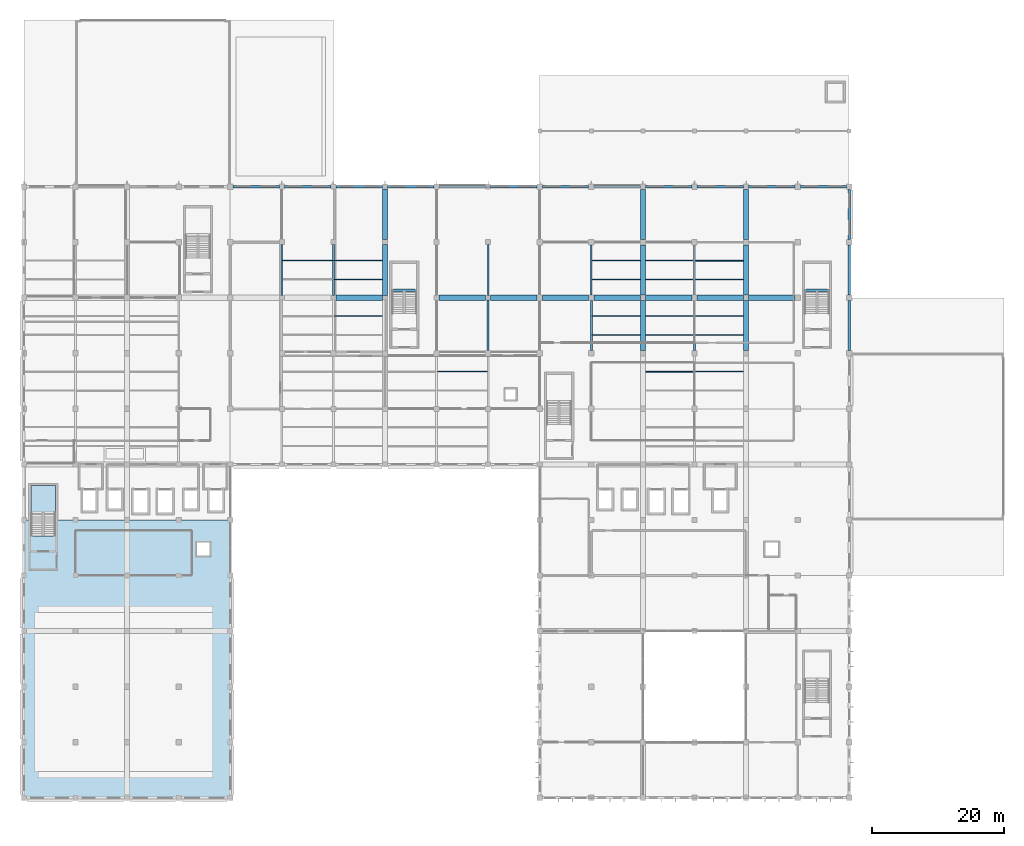
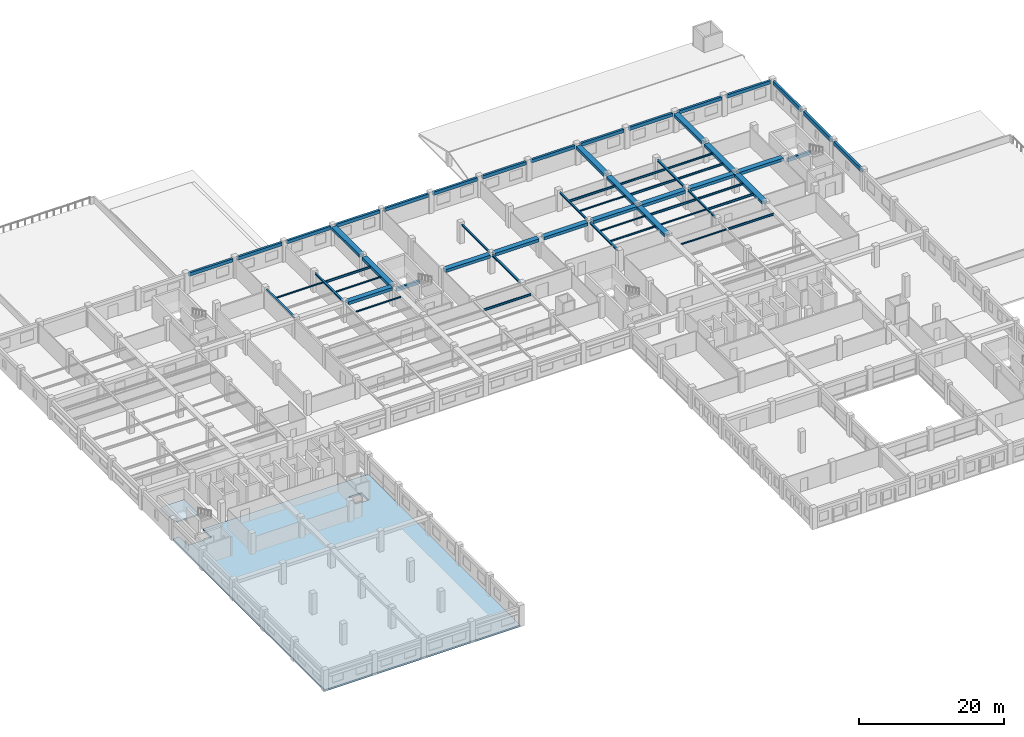
# One storey, part 25 of 50: 60 beams, 2 slabs, 1 element without a shape of its own.
"""IFC4 building model written with IfcOpenShell, lengths in metres."""

from ifc_helpers import new_model, si_unit, direction, frame, origin, origin_2d, place, context, subcontext, project, spatial, polyline, rectangle, i_section, outline, extrude, material, layer, layer_set, material_profile, profile_set, type_object, element, aggregate, save


model = new_model("IFC4")

# Units and contexts
model_context = context("Model", 3, precision=1e-05, world=origin(), true_north=direction((0.0, 1.0)))
body_context = subcontext(model_context, "Body", "Model", "MODEL_VIEW")
ifc_project = project(units=[si_unit("LENGTHUNIT", "METRE"), si_unit("AREAUNIT", "SQUARE_METRE"), si_unit("VOLUMEUNIT", "CUBIC_METRE"), si_unit("PLANEANGLEUNIT", "RADIAN"), si_unit("MASSUNIT", "GRAM", prefix="KILO"), si_unit("THERMODYNAMICTEMPERATUREUNIT", "KELVIN"), si_unit("POWERUNIT", "WATT")], contexts=[model_context])

# Site, building, storey
site_placement = place(None, origin())
site = spatial("IfcSite", under=ifc_project, at=site_placement, CompositionType="ELEMENT")
building_placement = place(site_placement, origin())
building = spatial("IfcBuilding", under=site, at=building_placement, Name="Srebrne Nadtorze General Hospital", CompositionType="ELEMENT")
storey_placement = place(building_placement, frame((0.0, 0.0, 14.39990234375)))
storey = spatial("IfcBuildingStorey", under=building, at=storey_placement, Name="L03", CompositionType="ELEMENT", Elevation=14.39990234375)

# Beams
ifc_material_1 = material(Name="Steel S355J2", Category="steel")
ifc_material_profile_1 = material_profile(ifc_material_1, i_section(OverallWidth=0.159912109375, OverallDepth=0.330078125, WebThickness=0.007568359375, FlangeThickness=0.011474609375, FilletRadius=0.01806640625, at=origin_2d()), Name="IPE-330")
ifc_profile_set_1 = profile_set([ifc_material_profile_1], Name="Steel S355J2")
beam_type_1 = type_object("IfcBeamType", Name="Deck joist IPE 330", PredefinedType="JOIST", material=ifc_profile_set_1)
beam_1_placement = place(storey_placement, frame((117.39501953125, 81.22802734375, 3.10498046875), z_axis=(1.0, 0.0, 0.0), x_axis=(0.0, 1.0, 0.0)))
element("IfcBeam", 1, at=beam_1_placement, inside=storey, type_object=beam_type_1, Name="Interstitial deck joist SJ-L03-0085", PredefinedType="JOIST", context=body_context, shape_type="SweptSolid", body=[
    extrude(i_section(OverallWidth=0.159912109375, OverallDepth=0.330078125, WebThickness=0.007568359375, FlangeThickness=0.011474609375, FilletRadius=0.01806640625, at=origin_2d()), origin(), (0.0, 0.0, 1.0), 7.27001953125),
])
beam_2_placement = place(storey_placement, frame((124.9150390625, 72.827880859375, 3.10498046875), z_axis=(1.0, 0.0, 0.0), x_axis=(0.0, 1.0, 0.0)))
element("IfcBeam", 2, at=beam_2_placement, inside=storey, type_object=beam_type_1, Name="Interstitial deck joist SJ-L03-0091", PredefinedType="JOIST", context=body_context, shape_type="SweptSolid", body=[
    extrude(i_section(OverallWidth=0.159912109375, OverallDepth=0.330078125, WebThickness=0.007568359375, FlangeThickness=0.011474609375, FilletRadius=0.01806640625, at=origin_2d()), origin(), (0.0, 0.0, 1.0), 7.2900390625),
])
beam_3_placement = place(storey_placement, frame((124.93505859375, 78.3720703125, 3.10498046875), z_axis=(1.0, 0.0, 0.0), x_axis=(0.0, 1.0, 0.0)))
element("IfcBeam", 3, at=beam_3_placement, inside=storey, type_object=beam_type_1, Name="Interstitial deck joist SJ-L03-0092", PredefinedType="JOIST", context=body_context, shape_type="SweptSolid", body=[
    extrude(i_section(OverallWidth=0.159912109375, OverallDepth=0.330078125, WebThickness=0.007568359375, FlangeThickness=0.011474609375, FilletRadius=0.01806640625, at=origin_2d()), origin(), (0.0, 0.0, 1.0), 7.27001953125),
])
ifc_material_2 = material(Name="Steel S355J2", Category="steel")
ifc_material_profile_2 = material_profile(ifc_material_2, i_section(OverallWidth=0.169921875, OverallDepth=0.360107421875, WebThickness=0.008056640625, FlangeThickness=0.0126953125, FilletRadius=0.01806640625, at=origin_2d()), Name="IPE-360")
ifc_profile_set_2 = profile_set([ifc_material_profile_2], Name="Steel S355J2")
beam_type_2 = type_object("IfcBeamType", Name="Deck joist IPE 360", PredefinedType="JOIST", material=ifc_profile_set_2)
beam_4_placement = place(storey_placement, frame((70.324951171875, 81.22802734375, 3.090087890625), z_axis=(1.0, 0.0, 0.0), x_axis=(0.0, 1.0, 0.0)))
element("IfcBeam", 4, at=beam_4_placement, inside=storey, type_object=beam_type_2, Name="Interstitial deck joist SJ-L03-0065", PredefinedType="JOIST", context=body_context, shape_type="SweptSolid", body=[
    extrude(i_section(OverallWidth=0.169921875, OverallDepth=0.360107421875, WebThickness=0.008056640625, FlangeThickness=0.0126953125, FilletRadius=0.01806640625, at=origin_2d()), origin(), (0.0, 0.0, 1.0), 7.280029296875),
])
beam_5_placement = place(storey_placement, frame((85.925048828125, 64.427978515625, 3.090087890625), z_axis=(1.0, 0.0, 0.0), x_axis=(0.0, 1.0, 0.0)))
element("IfcBeam", 5, at=beam_5_placement, inside=storey, type_object=beam_type_2, Name="Interstitial deck joist SJ-L03-0073", PredefinedType="JOIST", context=body_context, shape_type="SweptSolid", body=[
    extrude(i_section(OverallWidth=0.169921875, OverallDepth=0.360107421875, WebThickness=0.008056640625, FlangeThickness=0.0126953125, FilletRadius=0.01806640625, at=origin_2d()), origin(), (0.0, 0.0, 1.0), 7.56005859375),
])
beam_6_placement = place(storey_placement, frame((109.324951171875, 81.22802734375, 3.090087890625), z_axis=(1.0, 0.0, 0.0), x_axis=(0.0, 1.0, 0.0)))
element("IfcBeam", 6, at=beam_6_placement, inside=storey, type_object=beam_type_2, Name="Interstitial deck joist SJ-L03-0077", PredefinedType="JOIST", context=body_context, shape_type="SweptSolid", body=[
    extrude(i_section(OverallWidth=0.169921875, OverallDepth=0.360107421875, WebThickness=0.008056640625, FlangeThickness=0.0126953125, FilletRadius=0.01806640625, at=origin_2d()), origin(), (0.0, 0.0, 1.0), 7.280029296875),
])
beam_7_placement = place(storey_placement, frame((117.39501953125, 72.827880859375, 3.090087890625), z_axis=(1.0, 0.0, 0.0), x_axis=(0.0, 1.0, 0.0)))
element("IfcBeam", 7, at=beam_7_placement, inside=storey, type_object=beam_type_2, Name="Interstitial deck joist SJ-L03-0083", PredefinedType="JOIST", context=body_context, shape_type="SweptSolid", body=[
    extrude(i_section(OverallWidth=0.169921875, OverallDepth=0.360107421875, WebThickness=0.008056640625, FlangeThickness=0.0126953125, FilletRadius=0.01806640625, at=origin_2d()), origin(), (0.0, 0.0, 1.0), 7.2900390625),
])
beam_8_placement = place(storey_placement, frame((117.39501953125, 78.3720703125, 3.090087890625), z_axis=(1.0, 0.0, 0.0), x_axis=(0.0, 1.0, 0.0)))
element("IfcBeam", 8, at=beam_8_placement, inside=storey, type_object=beam_type_2, Name="Interstitial deck joist SJ-L03-0084", PredefinedType="JOIST", context=body_context, shape_type="SweptSolid", body=[
    extrude(i_section(OverallWidth=0.169921875, OverallDepth=0.360107421875, WebThickness=0.008056640625, FlangeThickness=0.0126953125, FilletRadius=0.01806640625, at=origin_2d()), origin(), (0.0, 0.0, 1.0), 7.27001953125),
])
beam_9_placement = place(storey_placement, frame((124.925048828125, 64.427978515625, 3.090087890625), z_axis=(1.0, 0.0, 0.0), x_axis=(0.0, 1.0, 0.0)))
element("IfcBeam", 9, at=beam_9_placement, inside=storey, type_object=beam_type_2, Name="Interstitial deck joist SJ-L03-0089", PredefinedType="JOIST", context=body_context, shape_type="SweptSolid", body=[
    extrude(i_section(OverallWidth=0.169921875, OverallDepth=0.360107421875, WebThickness=0.008056640625, FlangeThickness=0.0126953125, FilletRadius=0.01806640625, at=origin_2d()), origin(), (0.0, 0.0, 1.0), 7.280029296875),
])
beam_10_placement = place(storey_placement, frame((124.9150390625, 69.971923828125, 3.090087890625), z_axis=(1.0, 0.0, 0.0), x_axis=(0.0, 1.0, 0.0)))
element("IfcBeam", 10, at=beam_10_placement, inside=storey, type_object=beam_type_2, Name="Interstitial deck joist SJ-L03-0090", PredefinedType="JOIST", context=body_context, shape_type="SweptSolid", body=[
    extrude(i_section(OverallWidth=0.169921875, OverallDepth=0.360107421875, WebThickness=0.008056640625, FlangeThickness=0.0126953125, FilletRadius=0.01806640625, at=origin_2d()), origin(), (0.0, 0.0, 1.0), 7.2900390625),
])
ifc_material_3 = material(Name="Concrete C35/45", Category="concrete")
ifc_material_profile_3 = material_profile(ifc_material_3, rectangle(XDim=0.35009765625, YDim=0.64990234375, at=origin_2d()), Name="RC-BM-350x650")
ifc_profile_set_3 = profile_set([ifc_material_profile_3], Name="Concrete C35/45")
beam_type_3 = type_object("IfcBeamType", Name="Edge beam RC 350x650", PredefinedType="BEAM", material=ifc_profile_set_3)
beam_11_placement = place(storey_placement, frame((148.199951171875, 67.60009765625, 2.945068359375), z_axis=(0.0, 1.0, 0.0), x_axis=(-1.0, 0.0, 0.0)))
element("IfcBeam", 11, at=beam_11_placement, inside=storey, type_object=beam_type_3, Name="Beam BM-L03-Y-0856", PredefinedType="BEAM", context=body_context, shape_type="SweptSolid", body=[
    extrude(rectangle(XDim=0.35009765625, YDim=0.64990234375, at=origin_2d()), origin(), (0.0, 0.0, 1.0), 7.599853515625),
])
for number, where, z_axis, x_axis, name in (
    (12, (148.199951171875, 76.0, 2.945068359375), (0.0, 1.0, 0.0), (-1.0, 0.0, 0.0), "Beam BM-L03-Y-0857"),
    (13, (148.199951171875, 84.39990234375, 2.945068359375), (0.0, 1.0, 0.0), (-1.0, 0.0, 0.0), "Beam BM-L03-Y-0858"),
):
    element("IfcBeam", number, at=place(storey_placement, frame(where, z_axis=z_axis, x_axis=x_axis)), inside=storey, type_object=beam_type_3, Name=name, PredefinedType="BEAM", context=body_context, shape_type="SweptSolid", body=[
        extrude(rectangle(XDim=0.35009765625, YDim=0.64990234375, at=origin_2d()), origin(), (0.0, 0.0, 1.0), 7.60009765625),
    ])
ifc_material_4 = material(Name="Steel S355J2", Category="steel")
ifc_material_profile_4 = material_profile(ifc_material_4, i_section(OverallWidth=0.239990234375, OverallDepth=0.22998046875, WebThickness=0.007568359375, FlangeThickness=0.011962890625, FilletRadius=0.02099609375, at=origin_2d()), Name="HEA-240")
ifc_profile_set_4 = profile_set([ifc_material_profile_4], Name="Steel S355J2")
beam_type_4 = type_object("IfcBeamType", Name="Primary beam HEA 240", PredefinedType="BEAM", material=ifc_profile_set_4)
beam_12_placement = place(storey_placement, frame((124.800048828125, 67.60009765625, 3.155029296875), z_axis=(0.0, 1.0, 0.0), x_axis=(-1.0, 0.0, 0.0)))
element("IfcBeam", 14, at=beam_12_placement, inside=storey, type_object=beam_type_4, Name="Interstitial steel beam SB-L03-0026", PredefinedType="BEAM", context=body_context, shape_type="SweptSolid", body=[
    extrude(i_section(OverallWidth=0.239990234375, OverallDepth=0.22998046875, WebThickness=0.007568359375, FlangeThickness=0.011962890625, FilletRadius=0.02099609375, at=origin_2d()), origin(), (0.0, 0.0, 1.0), 7.599853515625),
])
ifc_material_5 = material(Name="Steel S355J2", Category="steel")
ifc_material_profile_5 = material_profile(ifc_material_5, i_section(OverallWidth=0.260009765625, OverallDepth=0.25, WebThickness=0.007568359375, FlangeThickness=0.012451171875, FilletRadius=0.02392578125, at=origin_2d()), Name="HEA-260")
ifc_profile_set_5 = profile_set([ifc_material_profile_5], Name="Steel S355J2")
beam_type_5 = type_object("IfcBeamType", Name="Primary beam HEA 260", PredefinedType="BEAM", material=ifc_profile_set_5)
beam_13_placement = place(storey_placement, frame((70.199951171875, 75.97509765625, 3.14501953125), z_axis=(0.0, 1.0, 0.0), x_axis=(-1.0, 0.0, 0.0)))
element("IfcBeam", 15, at=beam_13_placement, inside=storey, type_object=beam_type_5, Name="Interstitial steel beam SB-L03-0015", PredefinedType="BEAM", context=body_context, shape_type="SweptSolid", body=[
    extrude(i_section(OverallWidth=0.260009765625, OverallDepth=0.25, WebThickness=0.007568359375, FlangeThickness=0.012451171875, FilletRadius=0.02392578125, at=origin_2d()), origin(), (0.0, 0.0, 1.0), 7.64990234375),
])
beam_14_placement = place(storey_placement, frame((109.199951171875, 76.0, 3.14501953125), z_axis=(0.0, 1.0, 0.0), x_axis=(-1.0, 0.0, 0.0)))
element("IfcBeam", 16, at=beam_14_placement, inside=storey, type_object=beam_type_5, Name="Interstitial steel beam SB-L03-0023", PredefinedType="BEAM", context=body_context, shape_type="SweptSolid", body=[
    extrude(i_section(OverallWidth=0.260009765625, OverallDepth=0.25, WebThickness=0.007568359375, FlangeThickness=0.012451171875, FilletRadius=0.02392578125, at=origin_2d()), origin(), (0.0, 0.0, 1.0), 7.60009765625),
])
ifc_material_6 = material(Name="Steel S355J2", Category="steel")
ifc_material_profile_6 = material_profile(ifc_material_6, i_section(OverallWidth=0.280029296875, OverallDepth=0.27001953125, WebThickness=0.008056640625, FlangeThickness=0.012939453125, FilletRadius=0.02392578125, at=origin_2d()), Name="HEA-280")
ifc_profile_set_6 = profile_set([ifc_material_profile_6], Name="Steel S355J2")
beam_type_6 = type_object("IfcBeamType", Name="Primary beam HEA 280", PredefinedType="BEAM", material=ifc_profile_set_6)
beam_15_placement = place(storey_placement, frame((62.39990234375, 75.97509765625, 3.135009765625), z_axis=(0.0, 1.0, 0.0), x_axis=(-1.0, 0.0, 0.0)))
element("IfcBeam", 17, at=beam_15_placement, inside=storey, type_object=beam_type_6, Name="Interstitial steel beam SB-L03-0011", PredefinedType="BEAM", context=body_context, shape_type="SweptSolid", body=[
    extrude(i_section(OverallWidth=0.280029296875, OverallDepth=0.27001953125, WebThickness=0.008056640625, FlangeThickness=0.012939453125, FilletRadius=0.02392578125, at=origin_2d()), origin(), (0.0, 0.0, 1.0), 7.64990234375),
])
beam_16_placement = place(storey_placement, frame((109.199951171875, 67.60009765625, 3.135009765625), z_axis=(0.0, 1.0, 0.0), x_axis=(-1.0, 0.0, 0.0)))
element("IfcBeam", 18, at=beam_16_placement, inside=storey, type_object=beam_type_6, Name="Interstitial steel beam SB-L03-0022", PredefinedType="BEAM", context=body_context, shape_type="SweptSolid", body=[
    extrude(i_section(OverallWidth=0.280029296875, OverallDepth=0.27001953125, WebThickness=0.008056640625, FlangeThickness=0.012939453125, FilletRadius=0.02392578125, at=origin_2d()), origin(), (0.0, 0.0, 1.0), 7.599853515625),
])
ifc_material_7 = material(Name="Steel S355J2", Category="steel")
ifc_material_profile_7 = material_profile(ifc_material_7, i_section(OverallWidth=0.239990234375, OverallDepth=0.239990234375, WebThickness=0.010009765625, FlangeThickness=0.01708984375, FilletRadius=0.02099609375, at=origin_2d()), Name="HEB-240")
ifc_profile_set_7 = profile_set([ifc_material_profile_7], Name="Steel S355J2")
beam_type_7 = type_object("IfcBeamType", Name="Primary beam HEB 240", PredefinedType="BEAM", material=ifc_profile_set_7)
beam_17_placement = place(storey_placement, frame((93.60009765625, 75.97509765625, 3.150146484375), z_axis=(0.0, 1.0, 0.0), x_axis=(-1.0, 0.0, 0.0)))
element("IfcBeam", 19, at=beam_17_placement, inside=storey, type_object=beam_type_7, Name="Interstitial steel beam SB-L03-0021", PredefinedType="BEAM", context=body_context, shape_type="SweptSolid", body=[
    extrude(i_section(OverallWidth=0.239990234375, OverallDepth=0.239990234375, WebThickness=0.010009765625, FlangeThickness=0.01708984375, FilletRadius=0.02099609375, at=origin_2d()), origin(), (0.0, 0.0, 1.0), 7.64990234375),
])
ifc_material_8 = material(Name="Steel S355J2", Category="steel")
ifc_material_profile_8 = material_profile(ifc_material_8, i_section(OverallWidth=0.280029296875, OverallDepth=0.280029296875, WebThickness=0.010498046875, FlangeThickness=0.01806640625, FilletRadius=0.02392578125, at=origin_2d()), Name="HEB-280")
ifc_profile_set_8 = profile_set([ifc_material_profile_8], Name="Steel S355J2")
beam_type_8 = type_object("IfcBeamType", Name="Primary beam HEB 280", PredefinedType="BEAM", material=ifc_profile_set_8)
beam_18_placement = place(storey_placement, frame((93.60009765625, 67.574951171875, 3.130126953125), z_axis=(0.0, 1.0, 0.0), x_axis=(-1.0, 0.0, 0.0)))
element("IfcBeam", 20, at=beam_18_placement, inside=storey, type_object=beam_type_8, Name="Interstitial steel beam SB-L03-0020", PredefinedType="BEAM", context=body_context, shape_type="SweptSolid", body=[
    extrude(i_section(OverallWidth=0.280029296875, OverallDepth=0.280029296875, WebThickness=0.010498046875, FlangeThickness=0.01806640625, FilletRadius=0.02392578125, at=origin_2d()), origin(), (0.0, 0.0, 1.0), 7.650146484375),
])
beam_19_placement = place(storey_placement, frame((124.800048828125, 76.0, 3.130126953125), z_axis=(0.0, 1.0, 0.0), x_axis=(-1.0, 0.0, 0.0)))
element("IfcBeam", 21, at=beam_19_placement, inside=storey, type_object=beam_type_8, Name="Interstitial steel beam SB-L03-0027", PredefinedType="BEAM", context=body_context, shape_type="SweptSolid", body=[
    extrude(i_section(OverallWidth=0.280029296875, OverallDepth=0.280029296875, WebThickness=0.010498046875, FlangeThickness=0.01806640625, FilletRadius=0.02392578125, at=origin_2d()), origin(), (0.0, 0.0, 1.0), 7.60009765625),
])
ifc_material_9 = material(Name="Concrete C40/50", Category="concrete")
ifc_material_profile_9 = material_profile(ifc_material_9, rectangle(XDim=0.800048828125, YDim=0.5, at=origin_2d()), Name="RC-BM-800x500")
ifc_profile_set_9 = profile_set([ifc_material_profile_9], Name="Concrete C40/50")
beam_type_9 = type_object("IfcBeamType", Name="Primary beam RC 800x500", PredefinedType="BEAM", material=ifc_profile_set_9)
for number, where, z_axis, x_axis, name in (
    (22, (70.574951171875, 75.60009765625, 3.02001953125), (1.0, 0.0, 0.0), (0.0, 1.0, 0.0), "Beam BM-L03-X-0763"),
    (23, (86.175048828125, 75.60009765625, 3.02001953125), (1.0, 0.0, 0.0), (0.0, 1.0, 0.0), "Beam BM-L03-X-0764"),
):
    element("IfcBeam", number, at=place(storey_placement, frame(where, z_axis=z_axis, x_axis=x_axis)), inside=storey, type_object=beam_type_9, Name=name, PredefinedType="BEAM", context=body_context, shape_type="SweptSolid", body=[
        extrude(rectangle(XDim=0.800048828125, YDim=0.5, at=origin_2d()), origin(), (0.0, 0.0, 1.0), 7.050048828125),
    ])
beam_20_placement = place(storey_placement, frame((93.97509765625, 75.60009765625, 3.02001953125), z_axis=(1.0, 0.0, 0.0), x_axis=(0.0, 1.0, 0.0)))
element("IfcBeam", 24, at=beam_20_placement, inside=storey, type_object=beam_type_9, Name="Beam BM-L03-X-0765", PredefinedType="BEAM", context=body_context, shape_type="SweptSolid", body=[
    extrude(rectangle(XDim=0.800048828125, YDim=0.5, at=origin_2d()), origin(), (0.0, 0.0, 1.0), 7.02490234375),
])
for number, where, z_axis, x_axis, name in (
    (25, (101.800048828125, 75.60009765625, 3.02001953125), (1.0, 0.0, 0.0), (0.0, 1.0, 0.0), "Beam BM-L03-X-0766"),
    (26, (109.60009765625, 75.60009765625, 3.02001953125), (1.0, 0.0, 0.0), (0.0, 1.0, 0.0), "Beam BM-L03-X-0767"),
    (27, (117.39990234375, 75.60009765625, 3.02001953125), (1.0, 0.0, 0.0), (0.0, 1.0, 0.0), "Beam BM-L03-X-0768"),
    (28, (125.199951171875, 75.60009765625, 3.02001953125), (1.0, 0.0, 0.0), (0.0, 1.0, 0.0), "Beam BM-L03-X-0769"),
    (29, (133.0, 75.60009765625, 3.02001953125), (1.0, 0.0, 0.0), (0.0, 1.0, 0.0), "Beam BM-L03-X-0770"),
):
    element("IfcBeam", number, at=place(storey_placement, frame(where, z_axis=z_axis, x_axis=x_axis)), inside=storey, type_object=beam_type_9, Name=name, PredefinedType="BEAM", context=body_context, shape_type="SweptSolid", body=[
        extrude(rectangle(XDim=0.800048828125, YDim=0.5, at=origin_2d()), origin(), (0.0, 0.0, 1.0), 7.0),
    ])
for number, where, z_axis, x_axis, name in (
    (30, (78.0, 75.97509765625, 3.02001953125), (0.0, 1.0, 0.0), (-1.0, 0.0, 0.0), "Beam BM-L03-Y-0818"),
    (31, (78.0, 84.375, 3.02001953125), (0.0, 1.0, 0.0), (-1.0, 0.0, 0.0), "Beam BM-L03-Y-0819"),
):
    element("IfcBeam", number, at=place(storey_placement, frame(where, z_axis=z_axis, x_axis=x_axis)), inside=storey, type_object=beam_type_9, Name=name, PredefinedType="BEAM", context=body_context, shape_type="SweptSolid", body=[
        extrude(rectangle(XDim=0.800048828125, YDim=0.5, at=origin_2d()), origin(), (0.0, 0.0, 1.0), 7.64990234375),
    ])
beam_21_placement = place(storey_placement, frame((117.0, 67.60009765625, 3.02001953125), z_axis=(0.0, 1.0, 0.0), x_axis=(-1.0, 0.0, 0.0)))
element("IfcBeam", 32, at=beam_21_placement, inside=storey, type_object=beam_type_9, Name="Beam BM-L03-Y-0834", PredefinedType="BEAM", context=body_context, shape_type="SweptSolid", body=[
    extrude(rectangle(XDim=0.800048828125, YDim=0.5, at=origin_2d()), origin(), (0.0, 0.0, 1.0), 7.599853515625),
])
for number, where, z_axis, x_axis, name in (
    (33, (117.0, 76.0, 3.02001953125), (0.0, 1.0, 0.0), (-1.0, 0.0, 0.0), "Beam BM-L03-Y-0835"),
    (34, (117.0, 84.39990234375, 3.02001953125), (0.0, 1.0, 0.0), (-1.0, 0.0, 0.0), "Beam BM-L03-Y-0836"),
):
    element("IfcBeam", number, at=place(storey_placement, frame(where, z_axis=z_axis, x_axis=x_axis)), inside=storey, type_object=beam_type_9, Name=name, PredefinedType="BEAM", context=body_context, shape_type="SweptSolid", body=[
        extrude(rectangle(XDim=0.800048828125, YDim=0.5, at=origin_2d()), origin(), (0.0, 0.0, 1.0), 7.60009765625),
    ])
beam_22_placement = place(storey_placement, frame((132.60009765625, 67.60009765625, 3.02001953125), z_axis=(0.0, 1.0, 0.0), x_axis=(-1.0, 0.0, 0.0)))
element("IfcBeam", 35, at=beam_22_placement, inside=storey, type_object=beam_type_9, Name="Beam BM-L03-Y-0845", PredefinedType="BEAM", context=body_context, shape_type="SweptSolid", body=[
    extrude(rectangle(XDim=0.800048828125, YDim=0.5, at=origin_2d()), origin(), (0.0, 0.0, 1.0), 7.599853515625),
])
for number, where, z_axis, x_axis, name in (
    (36, (132.60009765625, 76.0, 3.02001953125), (0.0, 1.0, 0.0), (-1.0, 0.0, 0.0), "Beam BM-L03-Y-0846"),
    (37, (132.60009765625, 84.39990234375, 3.02001953125), (0.0, 1.0, 0.0), (-1.0, 0.0, 0.0), "Beam BM-L03-Y-0847"),
):
    element("IfcBeam", number, at=place(storey_placement, frame(where, z_axis=z_axis, x_axis=x_axis)), inside=storey, type_object=beam_type_9, Name=name, PredefinedType="BEAM", context=body_context, shape_type="SweptSolid", body=[
        extrude(rectangle(XDim=0.800048828125, YDim=0.5, at=origin_2d()), origin(), (0.0, 0.0, 1.0), 7.60009765625),
    ])
ifc_material_10 = material(Name="Steel S355J2", Category="steel")
ifc_material_profile_10 = material_profile(ifc_material_10, i_section(OverallWidth=0.1201171875, OverallDepth=0.239990234375, WebThickness=0.006103515625, FlangeThickness=0.009765625, FilletRadius=0.014892578125, at=origin_2d()), Name="IPE-240")
ifc_profile_set_10 = profile_set([ifc_material_profile_10], Name="Steel S355J2")
beam_type_10 = type_object("IfcBeamType", Name="Secondary joist IPE 240", PredefinedType="JOIST", material=ifc_profile_set_10)
beam_23_placement = place(storey_placement, frame((62.534912109375, 81.22802734375, 3.150146484375), z_axis=(1.0, 0.0, 0.0), x_axis=(0.0, 1.0, 0.0)))
element("IfcBeam", 38, at=beam_23_placement, inside=storey, type_object=beam_type_10, Name="Interstitial deck joist SJ-L03-0057", PredefinedType="JOIST", context=body_context, shape_type="SweptSolid", body=[
    extrude(i_section(OverallWidth=0.1201171875, OverallDepth=0.239990234375, WebThickness=0.006103515625, FlangeThickness=0.009765625, FilletRadius=0.014892578125, at=origin_2d()), origin(), (0.0, 0.0, 1.0), 7.5400390625),
])
beam_24_placement = place(storey_placement, frame((70.3349609375, 72.827880859375, 3.150146484375), z_axis=(1.0, 0.0, 0.0), x_axis=(0.0, 1.0, 0.0)))
element("IfcBeam", 39, at=beam_24_placement, inside=storey, type_object=beam_type_10, Name="Interstitial deck joist SJ-L03-0063", PredefinedType="JOIST", context=body_context, shape_type="SweptSolid", body=[
    extrude(i_section(OverallWidth=0.1201171875, OverallDepth=0.239990234375, WebThickness=0.006103515625, FlangeThickness=0.009765625, FilletRadius=0.014892578125, at=origin_2d()), origin(), (0.0, 0.0, 1.0), 7.27001953125),
])
beam_25_placement = place(storey_placement, frame((70.324951171875, 78.3720703125, 3.150146484375), z_axis=(1.0, 0.0, 0.0), x_axis=(0.0, 1.0, 0.0)))
element("IfcBeam", 40, at=beam_25_placement, inside=storey, type_object=beam_type_10, Name="Interstitial deck joist SJ-L03-0064", PredefinedType="JOIST", context=body_context, shape_type="SweptSolid", body=[
    extrude(i_section(OverallWidth=0.1201171875, OverallDepth=0.239990234375, WebThickness=0.006103515625, FlangeThickness=0.009765625, FilletRadius=0.014892578125, at=origin_2d()), origin(), (0.0, 0.0, 1.0), 7.280029296875),
])
beam_26_placement = place(storey_placement, frame((109.3349609375, 72.827880859375, 3.150146484375), z_axis=(1.0, 0.0, 0.0), x_axis=(0.0, 1.0, 0.0)))
element("IfcBeam", 41, at=beam_26_placement, inside=storey, type_object=beam_type_10, Name="Interstitial deck joist SJ-L03-0075", PredefinedType="JOIST", context=body_context, shape_type="SweptSolid", body=[
    extrude(i_section(OverallWidth=0.1201171875, OverallDepth=0.239990234375, WebThickness=0.006103515625, FlangeThickness=0.009765625, FilletRadius=0.014892578125, at=origin_2d()), origin(), (0.0, 0.0, 1.0), 7.27001953125),
])
for number, where, z_axis, x_axis, name in (
    (42, (109.324951171875, 78.3720703125, 3.150146484375), (1.0, 0.0, 0.0), (0.0, 1.0, 0.0), "Interstitial deck joist SJ-L03-0076"),
    (43, (117.39501953125, 64.427978515625, 3.150146484375), (1.0, 0.0, 0.0), (0.0, 1.0, 0.0), "Interstitial deck joist SJ-L03-0081"),
):
    element("IfcBeam", number, at=place(storey_placement, frame(where, z_axis=z_axis, x_axis=x_axis)), inside=storey, type_object=beam_type_10, Name=name, PredefinedType="JOIST", context=body_context, shape_type="SweptSolid", body=[
        extrude(i_section(OverallWidth=0.1201171875, OverallDepth=0.239990234375, WebThickness=0.006103515625, FlangeThickness=0.009765625, FilletRadius=0.014892578125, at=origin_2d()), origin(), (0.0, 0.0, 1.0), 7.280029296875),
    ])
beam_27_placement = place(storey_placement, frame((117.39501953125, 69.971923828125, 3.150146484375), z_axis=(1.0, 0.0, 0.0), x_axis=(0.0, 1.0, 0.0)))
element("IfcBeam", 44, at=beam_27_placement, inside=storey, type_object=beam_type_10, Name="Interstitial deck joist SJ-L03-0082", PredefinedType="JOIST", context=body_context, shape_type="SweptSolid", body=[
    extrude(i_section(OverallWidth=0.1201171875, OverallDepth=0.239990234375, WebThickness=0.006103515625, FlangeThickness=0.009765625, FilletRadius=0.014892578125, at=origin_2d()), origin(), (0.0, 0.0, 1.0), 7.2900390625),
])
ifc_material_11 = material(Name="Steel S355J2", Category="steel")
ifc_material_profile_11 = material_profile(ifc_material_11, i_section(OverallWidth=0.135009765625, OverallDepth=0.27001953125, WebThickness=0.006591796875, FlangeThickness=0.01025390625, FilletRadius=0.014892578125, at=origin_2d()), Name="IPE-270")
ifc_profile_set_11 = profile_set([ifc_material_profile_11], Name="Steel S355J2")
beam_type_11 = type_object("IfcBeamType", Name="Secondary joist IPE 270", PredefinedType="JOIST", material=ifc_profile_set_11)
beam_28_placement = place(storey_placement, frame((109.3349609375, 69.971923828125, 3.135009765625), z_axis=(1.0, 0.0, 0.0), x_axis=(0.0, 1.0, 0.0)))
element("IfcBeam", 45, at=beam_28_placement, inside=storey, type_object=beam_type_11, Name="Interstitial deck joist SJ-L03-0074", PredefinedType="JOIST", context=body_context, shape_type="SweptSolid", body=[
    extrude(i_section(OverallWidth=0.135009765625, OverallDepth=0.27001953125, WebThickness=0.006591796875, FlangeThickness=0.01025390625, FilletRadius=0.014892578125, at=origin_2d()), origin(), (0.0, 0.0, 1.0), 7.27001953125),
])
ifc_material_12 = material(Name="Steel S355J2", Category="steel")
ifc_material_profile_12 = material_profile(ifc_material_12, i_section(OverallWidth=0.14990234375, OverallDepth=0.300048828125, WebThickness=0.007080078125, FlangeThickness=0.0107421875, FilletRadius=0.014892578125, at=origin_2d()), Name="IPE-300")
ifc_profile_set_12 = profile_set([ifc_material_profile_12], Name="Steel S355J2")
beam_type_12 = type_object("IfcBeamType", Name="Secondary joist IPE 300", PredefinedType="JOIST", material=ifc_profile_set_12)
beam_29_placement = place(storey_placement, frame((124.93505859375, 81.22802734375, 3.1201171875), z_axis=(1.0, 0.0, 0.0), x_axis=(0.0, 1.0, 0.0)))
element("IfcBeam", 46, at=beam_29_placement, inside=storey, type_object=beam_type_12, Name="Interstitial deck joist SJ-L03-0093", PredefinedType="JOIST", context=body_context, shape_type="SweptSolid", body=[
    extrude(i_section(OverallWidth=0.14990234375, OverallDepth=0.300048828125, WebThickness=0.007080078125, FlangeThickness=0.0107421875, FilletRadius=0.014892578125, at=origin_2d()), origin(), (0.0, 0.0, 1.0), 7.27001953125),
])
ifc_material_13 = material(Name="Concrete C35/45", Category="concrete")
ifc_material_profile_13 = material_profile(ifc_material_13, rectangle(XDim=0.35009765625, YDim=0.550048828125, at=origin_2d()), Name="RC-BM-350x550")
ifc_profile_set_13 = profile_set([ifc_material_profile_13], Name="Concrete C35/45")
beam_type_13 = type_object("IfcBeamType", Name="Spandrel lintel beam RC 350x550", PredefinedType="LINTEL", material=ifc_profile_set_13)
beam_30_placement = place(storey_placement, frame((55.0, 92.39990234375, 2.9951171875), z_axis=(1.0, 0.0, 0.0), x_axis=(0.0, 1.0, 0.0)))
element("IfcBeam", 47, at=beam_30_placement, inside=storey, type_object=beam_type_13, Name="Beam BM-L03-X-0775", PredefinedType="LINTEL", context=body_context, shape_type="SweptSolid", body=[
    extrude(rectangle(XDim=0.35009765625, YDim=0.550048828125, at=origin_2d()), origin(), (0.0, 0.0, 1.0), 7.02490234375),
])
for number, where, z_axis, x_axis, name in (
    (48, (62.77490234375, 92.39990234375, 2.9951171875), (1.0, 0.0, 0.0), (0.0, 1.0, 0.0), "Beam BM-L03-X-0776"),
    (49, (70.574951171875, 92.39990234375, 2.9951171875), (1.0, 0.0, 0.0), (0.0, 1.0, 0.0), "Beam BM-L03-X-0777"),
    (50, (78.375, 92.39990234375, 2.9951171875), (1.0, 0.0, 0.0), (0.0, 1.0, 0.0), "Beam BM-L03-X-0778"),
    (51, (86.175048828125, 92.39990234375, 2.9951171875), (1.0, 0.0, 0.0), (0.0, 1.0, 0.0), "Beam BM-L03-X-0779"),
):
    element("IfcBeam", number, at=place(storey_placement, frame(where, z_axis=z_axis, x_axis=x_axis)), inside=storey, type_object=beam_type_13, Name=name, PredefinedType="LINTEL", context=body_context, shape_type="SweptSolid", body=[
        extrude(rectangle(XDim=0.35009765625, YDim=0.550048828125, at=origin_2d()), origin(), (0.0, 0.0, 1.0), 7.050048828125),
    ])
beam_31_placement = place(storey_placement, frame((93.97509765625, 92.39990234375, 2.9951171875), z_axis=(1.0, 0.0, 0.0), x_axis=(0.0, 1.0, 0.0)))
element("IfcBeam", 52, at=beam_31_placement, inside=storey, type_object=beam_type_13, Name="Beam BM-L03-X-0780", PredefinedType="LINTEL", context=body_context, shape_type="SweptSolid", body=[
    extrude(rectangle(XDim=0.35009765625, YDim=0.550048828125, at=origin_2d()), origin(), (0.0, 0.0, 1.0), 7.02490234375),
])
for number, where, z_axis, x_axis, name in (
    (53, (101.800048828125, 92.39990234375, 2.9951171875), (1.0, 0.0, 0.0), (0.0, 1.0, 0.0), "Beam BM-L03-X-0781"),
    (54, (109.60009765625, 92.39990234375, 2.9951171875), (1.0, 0.0, 0.0), (0.0, 1.0, 0.0), "Beam BM-L03-X-0782"),
    (55, (117.39990234375, 92.39990234375, 2.9951171875), (1.0, 0.0, 0.0), (0.0, 1.0, 0.0), "Beam BM-L03-X-0783"),
    (56, (125.199951171875, 92.39990234375, 2.9951171875), (1.0, 0.0, 0.0), (0.0, 1.0, 0.0), "Beam BM-L03-X-0784"),
    (57, (133.0, 92.39990234375, 2.9951171875), (1.0, 0.0, 0.0), (0.0, 1.0, 0.0), "Beam BM-L03-X-0785"),
    (58, (140.800048828125, 92.39990234375, 2.9951171875), (1.0, 0.0, 0.0), (0.0, 1.0, 0.0), "Beam BM-L03-X-0786"),
):
    element("IfcBeam", number, at=place(storey_placement, frame(where, z_axis=z_axis, x_axis=x_axis)), inside=storey, type_object=beam_type_13, Name=name, PredefinedType="LINTEL", context=body_context, shape_type="SweptSolid", body=[
        extrude(rectangle(XDim=0.35009765625, YDim=0.550048828125, at=origin_2d()), origin(), (0.0, 0.0, 1.0), 7.0),
    ])
for number, where, z_axis, x_axis, name in (
    (59, (141.449951171875, 76.719970703125, 1.525146484375), (1.0, 0.0, 0.0), (0.0, 1.0, 0.0), "Stair landing header beam ST-04 L03"),
    (60, (79.050048828125, 76.719970703125, 1.525146484375), (1.0, 0.0, 0.0), (0.0, 1.0, 0.0), "Stair landing header beam ST-07 L03"),
):
    element("IfcBeam", number, at=place(storey_placement, frame(where, z_axis=z_axis, x_axis=x_axis)), inside=storey, type_object=beam_type_13, Name=name, PredefinedType="LINTEL", context=body_context, shape_type="SweptSolid", body=[
        extrude(rectangle(XDim=0.35009765625, YDim=0.550048828125, at=origin_2d()), origin(), (0.0, 0.0, 1.0), 3.75),
    ])

# Slab
ifc_material_14 = material(Name="Concrete C35/45", Category="concrete")
ifc_layer_1 = layer(ifc_material_14, 0.280029296875)
ifc_layer_set_1 = layer_set([ifc_layer_1], Name="Concrete C35/45")
slab_type_1 = type_object("IfcSlabType", Name="Interstitial slab 280", PredefinedType="FLOOR", material=ifc_layer_set_1)
slab_1_placement = place(storey_placement, frame((0.0, 0.0, -0.27978515625)))
element("IfcSlab", 61, at=slab_1_placement, inside=storey, type_object=slab_type_1, Name="Suspended floor slab SL-L03-WS", PredefinedType="FLOOR", context=body_context, shape_type="SweptSolid", body=[
    extrude(outline(polyline([(28.199951171875, 42.0), (28.199951171875, 39.60498046875), (24.449951171875, 39.60498046875), (24.449951171875, 42.0), (23.39990234375, 42.0), (23.39990234375, 0.0), (54.60009765625, 0.0), (54.60009765625, 42.0), (28.199951171875, 42.0)]), holes=[polyline([(51.5, 36.60009765625), (49.5, 36.60009765625), (49.5, 38.60009765625), (51.5, 38.60009765625), (51.5, 36.60009765625)])]), origin(), (0.0, 0.0, 1.0), 0.27978515625),
])

# Stair, slab
ifc_material_15 = material(Name="Concrete C35/45", Category="concrete")
stair_type = type_object("IfcStairType", Name="Dog-leg escape stair 360", PredefinedType="HALF_TURN_STAIR", material=ifc_material_15)
stair_placement = place(storey_placement, origin())
stair = element("IfcStair", 62, at=stair_placement, inside=storey, type_object=stair_type, Name="Escape stair ST-01-L03", PredefinedType="HALF_TURN_STAIR")
ifc_material_16 = material(Name="Concrete C35/45", Category="concrete")
ifc_layer_2 = layer(ifc_material_16, 0.219970703125)
ifc_layer_set_2 = layer_set([ifc_layer_2], Name="Concrete C35/45")
slab_type_2 = type_object("IfcSlabType", Name="Stair landing slab 220", PredefinedType="LANDING", material=ifc_layer_set_2)
slab_2_placement = place(storey_placement, frame((0.0, 0.0, 1.580078125)))
slab_2 = element("IfcSlab", 63, at=slab_2_placement, type_object=slab_type_2, Name="ST-01 landing 1", PredefinedType="LANDING", context=body_context, shape_type="SweptSolid", body=[
    extrude(outline(polyline([(24.449951171875, 43.1201171875), (28.199951171875, 43.1201171875), (28.199951171875, 47.199951171875), (24.449951171875, 47.199951171875), (24.449951171875, 43.1201171875)])), origin(), (0.0, 0.0, 1.0), 0.219970703125),
])
aggregate(stair, [slab_2])

save(model, "model.ifc")
